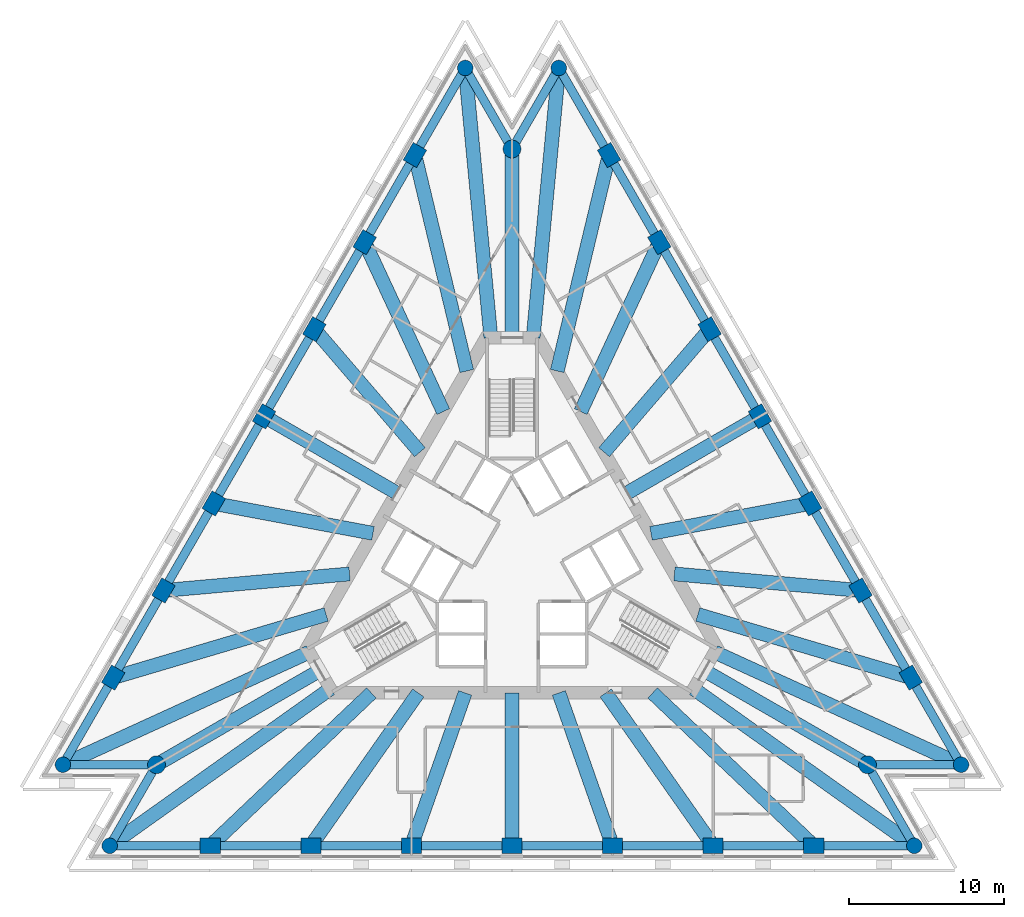
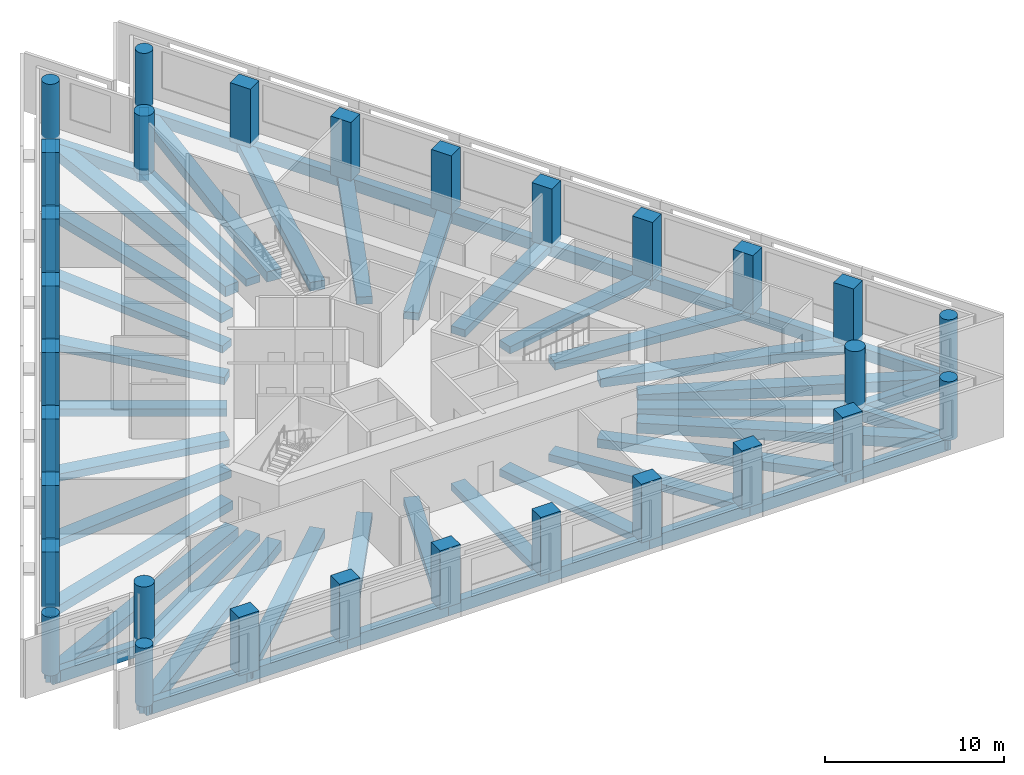
# One storey, part 1 of 9: 60 beams, 30 columns.
"""IFC4 building model written with IfcOpenShell, lengths in metres."""

from ifc_helpers import new_model, si_unit, direction, frame, origin, origin_2d, place, context, subcontext, project, spatial, rectangle, circle, extrude, material, material_profile, profile_set, type_object, element, save


model = new_model("IFC4")

# Units and contexts
model_context = context("Model", 3, precision=1e-05, world=origin(), true_north=direction((0.0, 1.0)))
body_context = subcontext(model_context, "Body", "Model", "MODEL_VIEW")
ifc_project = project(units=[si_unit("LENGTHUNIT", "METRE"), si_unit("AREAUNIT", "SQUARE_METRE"), si_unit("VOLUMEUNIT", "CUBIC_METRE"), si_unit("PLANEANGLEUNIT", "RADIAN"), si_unit("MASSUNIT", "GRAM", prefix="KILO")], contexts=[model_context])

# Site, building, storey
site_placement = place(None, origin())
site = spatial("IfcSite", under=ifc_project, at=site_placement, CompositionType="ELEMENT")
building_placement = place(site_placement, origin())
building = spatial("IfcBuilding", under=site, at=building_placement, Name="Triada Interchange Tower", CompositionType="ELEMENT")
storey_placement = place(building_placement, frame((0.0, 0.0, 164.300048828125)))
storey = spatial("IfcBuildingStorey", under=building, at=storey_placement, Name="L38", CompositionType="ELEMENT", Elevation=164.300048828125)

# Columns
ifc_material_1 = material(Name="Concrete C60/75", Category="concrete")
ifc_material_profile_1 = material_profile(ifc_material_1, rectangle(XDim=1.300048828125, YDim=1.0, at=origin_2d()), Name="RC 1300x1000")
ifc_profile_set_1 = profile_set([ifc_material_profile_1], Name="Concrete C60/75")
column_type_1 = type_object("IfcColumnType", Name="Column B face RC 1300x1000", PredefinedType="COLUMN", material=ifc_profile_set_1)
for number, where, z_axis, x_axis, name in (
    (1, (-6.258056640625, 26.068115234375, -0.300048828125), (0.0, 0.0, 1.0), (0.5, 0.866025403784, 0.0), "Column CB02 L38"),
    (2, (-9.4990234375, 20.4541015625, -0.300048828125), (0.0, 0.0, 1.0), (0.5, 0.866025403784, 0.0), "Column CB03 L38"),
    (3, (-12.739990234375, 14.841064453125, -0.300048828125), (0.0, 0.0, 1.0), (0.5, 0.866025403784, 0.0), "Column CB04 L38"),
    (4, (-15.98193359375, 9.22705078125, -0.300048828125), (0.0, 0.0, 1.0), (0.5, 0.866025403784, 0.0), "Column CB05 L38"),
    (5, (-19.222900390625, 3.613037109375, -0.300048828125), (0.0, 0.0, 1.0), (0.5, 0.866025403784, 0.0), "Column CB06 L38"),
    (6, (-22.464111328125, -2.0, -0.300048828125), (0.0, 0.0, 1.0), (0.5, 0.866025403784, 0.0), "Column CB07 L38"),
    (7, (-25.705078125, -7.614013671875, -0.300048828125), (0.0, 0.0, 1.0), (0.5, 0.866025403784, 0.0), "Column CB08 L38"),
    (8, (-19.447021484375, -18.4541015625, -0.300048828125), (0.0, 0.0, 1.0), (1.0, 0.0, 0.0), "Column CB11 L38"),
    (9, (-12.964111328125, -18.4541015625, -0.300048828125), (0.0, 0.0, 1.0), (1.0, 0.0, 0.0), "Column CB12 L38"),
    (10, (-6.48193359375, -18.4541015625, -0.300048828125), (0.0, 0.0, 1.0), (1.0, 0.0, 0.0), "Column CB13 L38"),
    (11, (0.0, -18.4541015625, -0.300048828125), (0.0, 0.0, 1.0), (1.0, 0.0, 0.0), "Column CB14 L38"),
    (12, (6.48193359375, -18.4541015625, -0.300048828125), (0.0, 0.0, 1.0), (1.0, 0.0, 0.0), "Column CB15 L38"),
    (13, (12.964111328125, -18.4541015625, -0.300048828125), (0.0, 0.0, 1.0), (1.0, 0.0, 0.0), "Column CB16 L38"),
    (14, (19.447021484375, -18.4541015625, -0.300048828125), (0.0, 0.0, 1.0), (1.0, 0.0, 0.0), "Column CB17 L38"),
    (15, (25.705078125, -7.614013671875, -0.300048828125), (0.0, 0.0, 1.0), (-0.5, 0.866025403784, 0.0), "Column CB20 L38"),
    (16, (22.464111328125, -2.0009765625, -0.300048828125), (0.0, 0.0, 1.0), (-0.5, 0.866025403784, 0.0), "Column CB21 L38"),
    (17, (19.222900390625, 3.613037109375, -0.300048828125), (0.0, 0.0, 1.0), (-0.5, 0.866025403784, 0.0), "Column CB22 L38"),
    (18, (15.98193359375, 9.22705078125, -0.300048828125), (0.0, 0.0, 1.0), (-0.5, 0.866025403784, 0.0), "Column CB23 L38"),
    (19, (12.739990234375, 14.841064453125, -0.300048828125), (0.0, 0.0, 1.0), (-0.5, 0.866025403784, 0.0), "Column CB24 L38"),
    (20, (9.4990234375, 20.4541015625, -0.300048828125), (0.0, 0.0, 1.0), (-0.5, 0.866025403784, 0.0), "Column CB25 L38"),
    (21, (6.258056640625, 26.068115234375, -0.300048828125), (0.0, 0.0, 1.0), (-0.5, 0.866025403784, 0.0), "Column CB26 L38"),
):
    element("IfcColumn", number, at=place(storey_placement, frame(where, z_axis=z_axis, x_axis=x_axis)), inside=storey, type_object=column_type_1, Name=name, PredefinedType="COLUMN", context=body_context, shape_type="SweptSolid", body=[
        extrude(rectangle(XDim=1.300048828125, YDim=1.0, at=origin_2d()), origin(), (0.0, 0.0, 1.0), 4.0),
    ])
ifc_material_profile_2 = material_profile(ifc_material_1, circle(Radius=0.5, at=origin_2d()), Name="RC D1000")
ifc_profile_set_2 = profile_set([ifc_material_profile_2], Name="Concrete C60/75")
column_type_2 = type_object("IfcColumnType", Name="End column B RC D1000", PredefinedType="COLUMN", material=ifc_profile_set_2)
for number, where, z_axis, x_axis, name in (
    (22, (-3.01708984375, 31.681884765625, -0.300048828125), (0.0, 0.0, 1.0), (0.5, 0.866025403784, 0.0), "Column CB01 L38"),
    (23, (-28.946044921875, -13.22802734375, -0.300048828125), (0.0, 0.0, 1.0), (0.5, 0.866025403784, 0.0), "Column CB09 L38"),
    (24, (-25.928955078125, -18.4541015625, -0.300048828125), (0.0, 0.0, 1.0), (1.0, 0.0, 0.0), "Column CB10 L38"),
    (25, (25.928955078125, -18.4541015625, -0.300048828125), (0.0, 0.0, 1.0), (1.0, 0.0, 0.0), "Column CB18 L38"),
    (26, (28.946044921875, -13.22802734375, -0.300048828125), (0.0, 0.0, 1.0), (-0.5, 0.866025403784, 0.0), "Column CB19 L38"),
    (27, (3.01708984375, 31.681884765625, -0.300048828125), (0.0, 0.0, 1.0), (-0.5, 0.866025403784, 0.0), "Column CB27 L38"),
):
    element("IfcColumn", number, at=place(storey_placement, frame(where, z_axis=z_axis, x_axis=x_axis)), inside=storey, type_object=column_type_2, Name=name, PredefinedType="COLUMN", context=body_context, shape_type="SweptSolid", body=[
        extrude(circle(Radius=0.5, at=origin_2d()), origin(), (0.0, 0.0, 1.0), 4.0),
    ])
ifc_material_profile_3 = material_profile(ifc_material_1, circle(Radius=0.574951171875, at=origin_2d()), Name="RC D1150")
ifc_profile_set_3 = profile_set([ifc_material_profile_3], Name="Concrete C60/75")
column_type_3 = type_object("IfcColumnType", Name="Mega column B RC D1150", PredefinedType="COLUMN", material=ifc_profile_set_3)
for number, where, z_axis, x_axis, name in (
    (28, (0.0, 26.45703125, -0.300048828125), (0.0, 0.0, 1.0), (1.0, 0.0, 0.0), "Column MB1 L38"),
    (29, (-22.912109375, -13.22802734375, -0.300048828125), (0.0, 0.0, 1.0), (1.0, 0.0, 0.0), "Column MB2 L38"),
    (30, (22.912109375, -13.22802734375, -0.300048828125), (0.0, 0.0, 1.0), (1.0, 0.0, 0.0), "Column MB3 L38"),
):
    element("IfcColumn", number, at=place(storey_placement, frame(where, z_axis=z_axis, x_axis=x_axis)), inside=storey, type_object=column_type_3, Name=name, PredefinedType="COLUMN", context=body_context, shape_type="SweptSolid", body=[
        extrude(circle(Radius=0.574951171875, at=origin_2d()), origin(), (0.0, 0.0, 1.0), 4.0),
    ])

# Beams
ifc_material_2 = material(Name="Concrete C50/60", Category="concrete")
ifc_material_profile_4 = material_profile(ifc_material_2, rectangle(XDim=0.89990234375, YDim=0.5, at=origin_2d()), Name="RC 900x500")
ifc_profile_set_4 = profile_set([ifc_material_profile_4], Name="Concrete C50/60")
beam_type_1 = type_object("IfcBeamType", Name="Radial band beam B RC 900x500", PredefinedType="BEAM", material=ifc_profile_set_4)
beam_1_placement = place(storey_placement, frame((-9.4990234375, 20.4541015625, -0.550048828125), z_axis=(0.421182188, -0.906976055093, 0.0), x_axis=(0.906976055093, 0.421182188, 0.0)))
element("IfcBeam", 31, at=beam_1_placement, inside=storey, type_object=beam_type_1, Name="Radial band beam BB03 L38", PredefinedType="BEAM", context=body_context, shape_type="SweptSolid", body=[
    extrude(rectangle(XDim=0.89990234375, YDim=0.5, at=origin_2d()), origin(), (0.0, 0.0, 1.0), 12.042236328125),
])
beam_2_placement = place(storey_placement, frame((-12.739990234375, 14.841064453125, -0.550048828125), z_axis=(0.651347526446, -0.75877954624, 0.0), x_axis=(0.75877954624, 0.651347526446, 0.0)))
element("IfcBeam", 32, at=beam_2_placement, inside=storey, type_object=beam_type_1, Name="Radial band beam BB04 L38", PredefinedType="BEAM", context=body_context, shape_type="SweptSolid", body=[
    extrude(rectangle(XDim=0.89990234375, YDim=0.5, at=origin_2d()), origin(), (0.0, 0.0, 1.0), 10.444580078125),
])
beam_3_placement = place(storey_placement, frame((-15.98193359375, 9.22705078125, -0.550048828125), z_axis=(0.866028393261, -0.49999482204, 0.0), x_axis=(0.49999482204, 0.866028393261, 0.0)))
element("IfcBeam", 33, at=beam_3_placement, inside=storey, type_object=beam_type_1, Name="Radial band beam BB05 L38", PredefinedType="BEAM", context=body_context, shape_type="SweptSolid", body=[
    extrude(rectangle(XDim=0.89990234375, YDim=0.5, at=origin_2d()), origin(), (0.0, 0.0, 1.0), 9.85400390625),
])
beam_4_placement = place(storey_placement, frame((-19.222900390625, 3.613037109375, -0.550048828125), z_axis=(0.982797748276, -0.184685099516, 0.0), x_axis=(0.184685099516, 0.982797748276, 0.0)))
element("IfcBeam", 34, at=beam_4_placement, inside=storey, type_object=beam_type_1, Name="Radial band beam BB06 L38", PredefinedType="BEAM", context=body_context, shape_type="SweptSolid", body=[
    extrude(rectangle(XDim=0.89990234375, YDim=0.5, at=origin_2d()), origin(), (0.0, 0.0, 1.0), 10.444580078125),
])
beam_5_placement = place(storey_placement, frame((-22.464111328125, -2.0, -0.550048828125), z_axis=(0.996059479564, 0.088687728409, 0.0), x_axis=(-0.088687728409, 0.996059479564, 0.0)))
element("IfcBeam", 35, at=beam_5_placement, inside=storey, type_object=beam_type_1, Name="Radial band beam BB07 L38", PredefinedType="BEAM", context=body_context, shape_type="SweptSolid", body=[
    extrude(rectangle(XDim=0.89990234375, YDim=0.5, at=origin_2d()), origin(), (0.0, 0.0, 1.0), 12.04345703125),
])
beam_6_placement = place(storey_placement, frame((-22.912109375, -13.22802734375, -0.550048828125), z_axis=(0.866034757718, 0.499983798162, 0.0), x_axis=(-0.499983798162, 0.866034757718, 0.0)))
element("IfcBeam", 36, at=beam_6_placement, inside=storey, type_object=beam_type_1, Name="Radial band beam BB10 L38", PredefinedType="BEAM", context=body_context, shape_type="SweptSolid", body=[
    extrude(rectangle(XDim=0.89990234375, YDim=0.5, at=origin_2d()), origin(), (0.0, 0.0, 1.0), 12.15673828125),
])
beam_7_placement = place(storey_placement, frame((-12.964111328125, -18.4541015625, -0.550048828125), z_axis=(0.574816759981, 0.818282159432, 0.0), x_axis=(-0.818282159432, 0.574816759981, 0.0)))
element("IfcBeam", 37, at=beam_7_placement, inside=storey, type_object=beam_type_1, Name="Radial band beam BB13 L38", PredefinedType="BEAM", context=body_context, shape_type="SweptSolid", body=[
    extrude(rectangle(XDim=0.89990234375, YDim=0.5, at=origin_2d()), origin(), (0.0, 0.0, 1.0), 12.042236328125),
])
beam_8_placement = place(storey_placement, frame((-6.48193359375, -18.4541015625, -0.550048828125), z_axis=(0.331376895085, 0.943498464971, 0.0), x_axis=(-0.943498464971, 0.331376895085, 0.0)))
element("IfcBeam", 38, at=beam_8_placement, inside=storey, type_object=beam_type_1, Name="Radial band beam BB14 L38", PredefinedType="BEAM", context=body_context, shape_type="SweptSolid", body=[
    extrude(rectangle(XDim=0.89990234375, YDim=0.5, at=origin_2d()), origin(), (0.0, 0.0, 1.0), 10.444091796875),
])
beam_9_placement = place(storey_placement, frame((0.0, -18.4541015625, -0.550048828125), z_axis=(0.0, 1.0, 0.0), x_axis=(-1.0, 0.0, 0.0)))
element("IfcBeam", 39, at=beam_9_placement, inside=storey, type_object=beam_type_1, Name="Radial band beam BB15 L38", PredefinedType="BEAM", context=body_context, shape_type="SweptSolid", body=[
    extrude(rectangle(XDim=0.89990234375, YDim=0.5, at=origin_2d()), origin(), (0.0, 0.0, 1.0), 9.85400390625),
])
beam_10_placement = place(storey_placement, frame((6.48193359375, -18.4541015625, -0.550048828125), z_axis=(-0.331376895085, 0.943498464971, 0.0), x_axis=(-0.943498464971, -0.331376895085, 0.0)))
element("IfcBeam", 40, at=beam_10_placement, inside=storey, type_object=beam_type_1, Name="Radial band beam BB16 L38", PredefinedType="BEAM", context=body_context, shape_type="SweptSolid", body=[
    extrude(rectangle(XDim=0.89990234375, YDim=0.5, at=origin_2d()), origin(), (0.0, 0.0, 1.0), 10.444091796875),
])
beam_11_placement = place(storey_placement, frame((12.964111328125, -18.4541015625, -0.550048828125), z_axis=(-0.574816759981, 0.818282159432, 0.0), x_axis=(-0.818282159432, -0.574816759981, 0.0)))
element("IfcBeam", 41, at=beam_11_placement, inside=storey, type_object=beam_type_1, Name="Radial band beam BB17 L38", PredefinedType="BEAM", context=body_context, shape_type="SweptSolid", body=[
    extrude(rectangle(XDim=0.89990234375, YDim=0.5, at=origin_2d()), origin(), (0.0, 0.0, 1.0), 12.042236328125),
])
beam_12_placement = place(storey_placement, frame((22.912109375, -13.22802734375, -0.550048828125), z_axis=(-0.866034757718, 0.499983798162, 0.0), x_axis=(-0.499983798162, -0.866034757718, 0.0)))
element("IfcBeam", 42, at=beam_12_placement, inside=storey, type_object=beam_type_1, Name="Radial band beam BB20 L38", PredefinedType="BEAM", context=body_context, shape_type="SweptSolid", body=[
    extrude(rectangle(XDim=0.89990234375, YDim=0.5, at=origin_2d()), origin(), (0.0, 0.0, 1.0), 12.15673828125),
])
beam_13_placement = place(storey_placement, frame((22.464111328125, -2.0009765625, -0.550048828125), z_axis=(-0.996052313378, 0.088768175681, 0.0), x_axis=(-0.088768175681, -0.996052313378, 0.0)))
element("IfcBeam", 43, at=beam_13_placement, inside=storey, type_object=beam_type_1, Name="Radial band beam BB23 L38", PredefinedType="BEAM", context=body_context, shape_type="SweptSolid", body=[
    extrude(rectangle(XDim=0.89990234375, YDim=0.5, at=origin_2d()), origin(), (0.0, 0.0, 1.0), 12.043701171875),
])
beam_14_placement = place(storey_placement, frame((19.222900390625, 3.613037109375, -0.550048828125), z_axis=(-0.982797748276, -0.184685099516, 0.0), x_axis=(0.184685099516, -0.982797748276, 0.0)))
element("IfcBeam", 44, at=beam_14_placement, inside=storey, type_object=beam_type_1, Name="Radial band beam BB24 L38", PredefinedType="BEAM", context=body_context, shape_type="SweptSolid", body=[
    extrude(rectangle(XDim=0.89990234375, YDim=0.5, at=origin_2d()), origin(), (0.0, 0.0, 1.0), 10.444580078125),
])
beam_15_placement = place(storey_placement, frame((15.98193359375, 9.22705078125, -0.550048828125), z_axis=(-0.866028393261, -0.49999482204, 0.0), x_axis=(0.49999482204, -0.866028393261, 0.0)))
element("IfcBeam", 45, at=beam_15_placement, inside=storey, type_object=beam_type_1, Name="Radial band beam BB25 L38", PredefinedType="BEAM", context=body_context, shape_type="SweptSolid", body=[
    extrude(rectangle(XDim=0.89990234375, YDim=0.5, at=origin_2d()), origin(), (0.0, 0.0, 1.0), 9.85400390625),
])
beam_16_placement = place(storey_placement, frame((12.739990234375, 14.841064453125, -0.550048828125), z_axis=(-0.651347526446, -0.75877954624, 0.0), x_axis=(0.75877954624, -0.651347526446, 0.0)))
element("IfcBeam", 46, at=beam_16_placement, inside=storey, type_object=beam_type_1, Name="Radial band beam BB26 L38", PredefinedType="BEAM", context=body_context, shape_type="SweptSolid", body=[
    extrude(rectangle(XDim=0.89990234375, YDim=0.5, at=origin_2d()), origin(), (0.0, 0.0, 1.0), 10.444580078125),
])
beam_17_placement = place(storey_placement, frame((9.4990234375, 20.4541015625, -0.550048828125), z_axis=(-0.421182188, -0.906976055093, 0.0), x_axis=(0.906976055093, -0.421182188, 0.0)))
element("IfcBeam", 47, at=beam_17_placement, inside=storey, type_object=beam_type_1, Name="Radial band beam BB27 L38", PredefinedType="BEAM", context=body_context, shape_type="SweptSolid", body=[
    extrude(rectangle(XDim=0.89990234375, YDim=0.5, at=origin_2d()), origin(), (0.0, 0.0, 1.0), 12.042236328125),
])
beam_18_placement = place(storey_placement, frame((0.0, 26.45703125, -0.550048828125), z_axis=(0.0, -1.0, 0.0), x_axis=(1.0, 0.0, 0.0)))
element("IfcBeam", 48, at=beam_18_placement, inside=storey, type_object=beam_type_1, Name="Radial band beam BB30 L38", PredefinedType="BEAM", context=body_context, shape_type="SweptSolid", body=[
    extrude(rectangle(XDim=0.89990234375, YDim=0.5, at=origin_2d()), origin(), (0.0, 0.0, 1.0), 12.156982421875),
])
ifc_material_profile_5 = material_profile(ifc_material_2, rectangle(XDim=0.89990234375, YDim=0.60009765625, at=origin_2d()), Name="RC 900x600")
ifc_profile_set_5 = profile_set([ifc_material_profile_5], Name="Concrete C50/60")
beam_type_2 = type_object("IfcBeamType", Name="Radial band beam B RC 900x600", PredefinedType="BEAM", material=ifc_profile_set_5)
for number, where, z_axis, x_axis, name in (
    (49, (-6.258056640625, 26.068115234375, -0.60009765625), (0.233452287657, -0.972368258114, 0.0), (0.972368258114, 0.233452287657, 0.0), "Radial band beam BB02 L38"),
    (50, (-25.705078125, -7.614013671875, -0.60009765625), (0.958818411795, 0.284019811285, 0.0), (-0.284019811285, 0.958818411795, 0.0), "Radial band beam BB08 L38"),
):
    element("IfcBeam", number, at=place(storey_placement, frame(where, z_axis=z_axis, x_axis=x_axis)), inside=storey, type_object=beam_type_2, Name=name, PredefinedType="BEAM", context=body_context, shape_type="SweptSolid", body=[
        extrude(rectangle(XDim=0.89990234375, YDim=0.60009765625, at=origin_2d()), origin(), (0.0, 0.0, 1.0), 14.315673828125),
    ])
for number, where, z_axis, x_axis, name in (
    (51, (-19.447021484375, -18.4541015625, -0.60009765625), (0.72537701011, 0.688351794655, 0.0), (-0.688351794655, 0.72537701011, 0.0), "Radial band beam BB12 L38"),
    (52, (19.447021484375, -18.4541015625, -0.60009765625), (-0.72537701011, 0.688351794655, 0.0), (-0.688351794655, -0.72537701011, 0.0), "Radial band beam BB18 L38"),
):
    element("IfcBeam", number, at=place(storey_placement, frame(where, z_axis=z_axis, x_axis=x_axis)), inside=storey, type_object=beam_type_2, Name=name, PredefinedType="BEAM", context=body_context, shape_type="SweptSolid", body=[
        extrude(rectangle(XDim=0.89990234375, YDim=0.60009765625, at=origin_2d()), origin(), (0.0, 0.0, 1.0), 14.3154296875),
    ])
for number, where, z_axis, x_axis, name in (
    (53, (25.705078125, -7.614013671875, -0.60009765625), (-0.958818411795, 0.284019811285, 0.0), (-0.284019811285, -0.958818411795, 0.0), "Radial band beam BB22 L38"),
    (54, (6.258056640625, 26.068115234375, -0.60009765625), (-0.233452287657, -0.972368258114, 0.0), (0.972368258114, -0.233452287657, 0.0), "Radial band beam BB28 L38"),
):
    element("IfcBeam", number, at=place(storey_placement, frame(where, z_axis=z_axis, x_axis=x_axis)), inside=storey, type_object=beam_type_2, Name=name, PredefinedType="BEAM", context=body_context, shape_type="SweptSolid", body=[
        extrude(rectangle(XDim=0.89990234375, YDim=0.60009765625, at=origin_2d()), origin(), (0.0, 0.0, 1.0), 14.315673828125),
    ])
ifc_material_profile_6 = material_profile(ifc_material_2, rectangle(XDim=0.89990234375, YDim=0.699951171875, at=origin_2d()), Name="RC 900x700")
ifc_profile_set_6 = profile_set([ifc_material_profile_6], Name="Concrete C50/60")
beam_type_3 = type_object("IfcBeamType", Name="Radial band beam B RC 900x700", PredefinedType="BEAM", material=ifc_profile_set_6)
beam_19_placement = place(storey_placement, frame((-3.01708984375, 31.681884765625, -0.650146484375), z_axis=(0.094787317622, -0.995497546164, 0.0), x_axis=(0.995497546164, 0.094787317622, 0.0)))
element("IfcBeam", 55, at=beam_19_placement, inside=storey, type_object=beam_type_3, Name="Radial band beam BB01 L38", PredefinedType="BEAM", context=body_context, shape_type="SweptSolid", body=[
    extrude(rectangle(XDim=0.89990234375, YDim=0.699951171875, at=origin_2d()), origin(), (0.0, 0.0, 1.0), 17.46044921875),
])
for number, where, z_axis, x_axis, name in (
    (56, (-28.946044921875, -13.22802734375, -0.650146484375), (0.909515104954, 0.415670872038, 0.0), (-0.415670872038, 0.909515104954, 0.0), "Radial band beam BB09 L38"),
    (57, (-25.928955078125, -18.4541015625, -0.650146484375), (0.814720469551, 0.579853909614, 0.0), (-0.579853909614, 0.814720469551, 0.0), "Radial band beam BB11 L38"),
    (58, (25.928955078125, -18.4541015625, -0.650146484375), (-0.814720469551, 0.579853909614, 0.0), (-0.579853909614, -0.814720469551, 0.0), "Radial band beam BB19 L38"),
    (59, (28.946044921875, -13.22802734375, -0.650146484375), (-0.909515104954, 0.415670872038, 0.0), (-0.415670872038, -0.909515104954, 0.0), "Radial band beam BB21 L38"),
):
    element("IfcBeam", number, at=place(storey_placement, frame(where, z_axis=z_axis, x_axis=x_axis)), inside=storey, type_object=beam_type_3, Name=name, PredefinedType="BEAM", context=body_context, shape_type="SweptSolid", body=[
        extrude(rectangle(XDim=0.89990234375, YDim=0.699951171875, at=origin_2d()), origin(), (0.0, 0.0, 1.0), 17.461181640625),
    ])
beam_20_placement = place(storey_placement, frame((3.01708984375, 31.681884765625, -0.650146484375), z_axis=(-0.094787317622, -0.995497546164, 0.0), x_axis=(0.995497546164, -0.094787317622, 0.0)))
element("IfcBeam", 60, at=beam_20_placement, inside=storey, type_object=beam_type_3, Name="Radial band beam BB29 L38", PredefinedType="BEAM", context=body_context, shape_type="SweptSolid", body=[
    extrude(rectangle(XDim=0.89990234375, YDim=0.699951171875, at=origin_2d()), origin(), (0.0, 0.0, 1.0), 17.46044921875),
])
ifc_material_profile_7 = material_profile(ifc_material_2, rectangle(XDim=0.550048828125, YDim=0.800048828125, at=origin_2d()), Name="RC 550x800")
ifc_profile_set_7 = profile_set([ifc_material_profile_7], Name="Concrete C50/60")
beam_type_4 = type_object("IfcBeamType", Name="Spandrel beam B RC 550x800", PredefinedType="BEAM", material=ifc_profile_set_7)
beam_21_placement = place(storey_placement, frame((-3.01708984375, 31.681884765625, -0.699951171875), z_axis=(-0.499983274767, -0.866035059887, 0.0), x_axis=(0.866035059887, -0.499983274767, 0.0)))
element("IfcBeam", 61, at=beam_21_placement, inside=storey, type_object=beam_type_4, Name="Spandrel beam EB01 L38", PredefinedType="BEAM", context=body_context, shape_type="SweptSolid", body=[
    extrude(rectangle(XDim=0.550048828125, YDim=0.800048828125, at=origin_2d()), origin(), (0.0, 0.0, 1.0), 6.482177734375),
])
beam_22_placement = place(storey_placement, frame((-6.258056640625, 26.068115234375, -0.699951171875), z_axis=(-0.49996696679, -0.866044474677, 0.0), x_axis=(0.866044474677, -0.49996696679, 0.0)))
element("IfcBeam", 62, at=beam_22_placement, inside=storey, type_object=beam_type_4, Name="Spandrel beam EB02 L38", PredefinedType="BEAM", context=body_context, shape_type="SweptSolid", body=[
    extrude(rectangle(XDim=0.550048828125, YDim=0.800048828125, at=origin_2d()), origin(), (0.0, 0.0, 1.0), 6.482421875),
])
beam_23_placement = place(storey_placement, frame((-9.4990234375, 20.4541015625, -0.699951171875), z_axis=(-0.500032204018, -0.866006809987, 0.0), x_axis=(0.866006809987, -0.500032204018, 0.0)))
element("IfcBeam", 63, at=beam_23_placement, inside=storey, type_object=beam_type_4, Name="Spandrel beam EB03 L38", PredefinedType="BEAM", context=body_context, shape_type="SweptSolid", body=[
    extrude(rectangle(XDim=0.550048828125, YDim=0.800048828125, at=origin_2d()), origin(), (0.0, 0.0, 1.0), 6.4814453125),
])
beam_24_placement = place(storey_placement, frame((-12.739990234375, 14.841064453125, -0.699951171875), z_axis=(-0.500079945886, -0.865979242085, 0.0), x_axis=(0.865979242085, -0.500079945886, 0.0)))
element("IfcBeam", 64, at=beam_24_placement, inside=storey, type_object=beam_type_4, Name="Spandrel beam EB04 L38", PredefinedType="BEAM", context=body_context, shape_type="SweptSolid", body=[
    extrude(rectangle(XDim=0.550048828125, YDim=0.800048828125, at=origin_2d()), origin(), (0.0, 0.0, 1.0), 6.48291015625),
])
beam_25_placement = place(storey_placement, frame((-15.98193359375, 9.22705078125, -0.699951171875), z_axis=(-0.49996696679, -0.866044474677, 0.0), x_axis=(0.866044474677, -0.49996696679, 0.0)))
element("IfcBeam", 65, at=beam_25_placement, inside=storey, type_object=beam_type_4, Name="Spandrel beam EB05 L38", PredefinedType="BEAM", context=body_context, shape_type="SweptSolid", body=[
    extrude(rectangle(XDim=0.550048828125, YDim=0.800048828125, at=origin_2d()), origin(), (0.0, 0.0, 1.0), 6.482421875),
])
beam_26_placement = place(storey_placement, frame((-19.222900390625, 3.613037109375, -0.699951171875), z_axis=(-0.500060452414, -0.865990498754, 0.0), x_axis=(0.865990498754, -0.500060452414, 0.0)))
element("IfcBeam", 66, at=beam_26_placement, inside=storey, type_object=beam_type_4, Name="Spandrel beam EB06 L38", PredefinedType="BEAM", context=body_context, shape_type="SweptSolid", body=[
    extrude(rectangle(XDim=0.550048828125, YDim=0.800048828125, at=origin_2d()), origin(), (0.0, 0.0, 1.0), 6.481689453125),
])
for number, where, z_axis, x_axis, name in (
    (67, (-22.464111328125, -2.0, -0.699951171875), (-0.49996696679, -0.866044474677, 0.0), (0.866044474677, -0.49996696679, 0.0), "Spandrel beam EB07 L38"),
    (68, (-25.705078125, -7.614013671875, -0.699951171875), (-0.49996696679, -0.866044474677, 0.0), (0.866044474677, -0.49996696679, 0.0), "Spandrel beam EB08 L38"),
):
    element("IfcBeam", number, at=place(storey_placement, frame(where, z_axis=z_axis, x_axis=x_axis)), inside=storey, type_object=beam_type_4, Name=name, PredefinedType="BEAM", context=body_context, shape_type="SweptSolid", body=[
        extrude(rectangle(XDim=0.550048828125, YDim=0.800048828125, at=origin_2d()), origin(), (0.0, 0.0, 1.0), 6.482421875),
    ])
beam_27_placement = place(storey_placement, frame((-28.946044921875, -13.22802734375, -0.699951171875), z_axis=(1.0, 0.0, 0.0), x_axis=(0.0, 1.0, 0.0)))
element("IfcBeam", 69, at=beam_27_placement, inside=storey, type_object=beam_type_4, Name="Spandrel beam EB09 L38", PredefinedType="BEAM", context=body_context, shape_type="SweptSolid", body=[
    extrude(rectangle(XDim=0.550048828125, YDim=0.800048828125, at=origin_2d()), origin(), (0.0, 0.0, 1.0), 6.033935546875),
])
beam_28_placement = place(storey_placement, frame((-22.912109375, -13.22802734375, -0.699951171875), z_axis=(-0.499946597911, -0.8660562333, 0.0), x_axis=(0.8660562333, -0.499946597911, 0.0)))
element("IfcBeam", 70, at=beam_28_placement, inside=storey, type_object=beam_type_4, Name="Spandrel beam EB10 L38", PredefinedType="BEAM", context=body_context, shape_type="SweptSolid", body=[
    extrude(rectangle(XDim=0.550048828125, YDim=0.800048828125, at=origin_2d()), origin(), (0.0, 0.0, 1.0), 6.034423828125),
])
beam_29_placement = place(storey_placement, frame((-25.928955078125, -18.4541015625, -0.699951171875), z_axis=(1.0, 0.0, 0.0), x_axis=(0.0, 1.0, 0.0)))
element("IfcBeam", 71, at=beam_29_placement, inside=storey, type_object=beam_type_4, Name="Spandrel beam EB11 L38", PredefinedType="BEAM", context=body_context, shape_type="SweptSolid", body=[
    extrude(rectangle(XDim=0.550048828125, YDim=0.800048828125, at=origin_2d()), origin(), (0.0, 0.0, 1.0), 6.48193359375),
])
beam_30_placement = place(storey_placement, frame((-19.447021484375, -18.4541015625, -0.699951171875), z_axis=(1.0, 0.0, 0.0), x_axis=(0.0, 1.0, 0.0)))
element("IfcBeam", 72, at=beam_30_placement, inside=storey, type_object=beam_type_4, Name="Spandrel beam EB12 L38", PredefinedType="BEAM", context=body_context, shape_type="SweptSolid", body=[
    extrude(rectangle(XDim=0.550048828125, YDim=0.800048828125, at=origin_2d()), origin(), (0.0, 0.0, 1.0), 6.48291015625),
])
beam_31_placement = place(storey_placement, frame((-12.964111328125, -18.4541015625, -0.699951171875), z_axis=(1.0, 0.0, 0.0), x_axis=(0.0, 1.0, 0.0)))
element("IfcBeam", 73, at=beam_31_placement, inside=storey, type_object=beam_type_4, Name="Spandrel beam EB13 L38", PredefinedType="BEAM", context=body_context, shape_type="SweptSolid", body=[
    extrude(rectangle(XDim=0.550048828125, YDim=0.800048828125, at=origin_2d()), origin(), (0.0, 0.0, 1.0), 6.482177734375),
])
for number, where, z_axis, x_axis, name in (
    (74, (-6.48193359375, -18.4541015625, -0.699951171875), (1.0, 0.0, 0.0), (0.0, 1.0, 0.0), "Spandrel beam EB14 L38"),
    (75, (0.0, -18.4541015625, -0.699951171875), (1.0, 0.0, 0.0), (0.0, 1.0, 0.0), "Spandrel beam EB15 L38"),
):
    element("IfcBeam", number, at=place(storey_placement, frame(where, z_axis=z_axis, x_axis=x_axis)), inside=storey, type_object=beam_type_4, Name=name, PredefinedType="BEAM", context=body_context, shape_type="SweptSolid", body=[
        extrude(rectangle(XDim=0.550048828125, YDim=0.800048828125, at=origin_2d()), origin(), (0.0, 0.0, 1.0), 6.48193359375),
    ])
beam_32_placement = place(storey_placement, frame((6.48193359375, -18.4541015625, -0.699951171875), z_axis=(1.0, 0.0, 0.0), x_axis=(0.0, 1.0, 0.0)))
element("IfcBeam", 76, at=beam_32_placement, inside=storey, type_object=beam_type_4, Name="Spandrel beam EB16 L38", PredefinedType="BEAM", context=body_context, shape_type="SweptSolid", body=[
    extrude(rectangle(XDim=0.550048828125, YDim=0.800048828125, at=origin_2d()), origin(), (0.0, 0.0, 1.0), 6.482177734375),
])
beam_33_placement = place(storey_placement, frame((12.964111328125, -18.4541015625, -0.699951171875), z_axis=(1.0, 0.0, 0.0), x_axis=(0.0, 1.0, 0.0)))
element("IfcBeam", 77, at=beam_33_placement, inside=storey, type_object=beam_type_4, Name="Spandrel beam EB17 L38", PredefinedType="BEAM", context=body_context, shape_type="SweptSolid", body=[
    extrude(rectangle(XDim=0.550048828125, YDim=0.800048828125, at=origin_2d()), origin(), (0.0, 0.0, 1.0), 6.48291015625),
])
beam_34_placement = place(storey_placement, frame((19.447021484375, -18.4541015625, -0.699951171875), z_axis=(1.0, 0.0, 0.0), x_axis=(0.0, 1.0, 0.0)))
element("IfcBeam", 78, at=beam_34_placement, inside=storey, type_object=beam_type_4, Name="Spandrel beam EB18 L38", PredefinedType="BEAM", context=body_context, shape_type="SweptSolid", body=[
    extrude(rectangle(XDim=0.550048828125, YDim=0.800048828125, at=origin_2d()), origin(), (0.0, 0.0, 1.0), 6.48193359375),
])
beam_35_placement = place(storey_placement, frame((25.928955078125, -18.4541015625, -0.699951171875), z_axis=(-0.499946597911, 0.8660562333, 0.0), x_axis=(-0.8660562333, -0.499946597911, 0.0)))
element("IfcBeam", 79, at=beam_35_placement, inside=storey, type_object=beam_type_4, Name="Spandrel beam EB19 L38", PredefinedType="BEAM", context=body_context, shape_type="SweptSolid", body=[
    extrude(rectangle(XDim=0.550048828125, YDim=0.800048828125, at=origin_2d()), origin(), (0.0, 0.0, 1.0), 6.034423828125),
])
beam_36_placement = place(storey_placement, frame((22.912109375, -13.22802734375, -0.699951171875), z_axis=(1.0, 0.0, 0.0), x_axis=(0.0, 1.0, 0.0)))
element("IfcBeam", 80, at=beam_36_placement, inside=storey, type_object=beam_type_4, Name="Spandrel beam EB20 L38", PredefinedType="BEAM", context=body_context, shape_type="SweptSolid", body=[
    extrude(rectangle(XDim=0.550048828125, YDim=0.800048828125, at=origin_2d()), origin(), (0.0, 0.0, 1.0), 6.033935546875),
])
beam_37_placement = place(storey_placement, frame((28.946044921875, -13.22802734375, -0.699951171875), z_axis=(-0.49996696679, 0.866044474677, 0.0), x_axis=(-0.866044474677, -0.49996696679, 0.0)))
element("IfcBeam", 81, at=beam_37_placement, inside=storey, type_object=beam_type_4, Name="Spandrel beam EB21 L38", PredefinedType="BEAM", context=body_context, shape_type="SweptSolid", body=[
    extrude(rectangle(XDim=0.550048828125, YDim=0.800048828125, at=origin_2d()), origin(), (0.0, 0.0, 1.0), 6.482421875),
])
beam_38_placement = place(storey_placement, frame((25.705078125, -7.614013671875, -0.699951171875), z_axis=(-0.500032204018, 0.866006809987, 0.0), x_axis=(-0.866006809987, -0.500032204018, 0.0)))
element("IfcBeam", 82, at=beam_38_placement, inside=storey, type_object=beam_type_4, Name="Spandrel beam EB22 L38", PredefinedType="BEAM", context=body_context, shape_type="SweptSolid", body=[
    extrude(rectangle(XDim=0.550048828125, YDim=0.800048828125, at=origin_2d()), origin(), (0.0, 0.0, 1.0), 6.4814453125),
])
for number, where, z_axis, x_axis, name in (
    (83, (22.464111328125, -2.0009765625, -0.699951171875), (-0.499995213958, 0.86602816699, 0.0), (-0.86602816699, -0.499995213958, 0.0), "Spandrel beam EB23 L38"),
    (84, (19.222900390625, 3.613037109375, -0.699951171875), (-0.49996696679, 0.866044474677, 0.0), (-0.866044474677, -0.49996696679, 0.0), "Spandrel beam EB24 L38"),
):
    element("IfcBeam", number, at=place(storey_placement, frame(where, z_axis=z_axis, x_axis=x_axis)), inside=storey, type_object=beam_type_4, Name=name, PredefinedType="BEAM", context=body_context, shape_type="SweptSolid", body=[
        extrude(rectangle(XDim=0.550048828125, YDim=0.800048828125, at=origin_2d()), origin(), (0.0, 0.0, 1.0), 6.482421875),
    ])
beam_39_placement = place(storey_placement, frame((15.98193359375, 9.22705078125, -0.699951171875), z_axis=(-0.500079945886, 0.865979242085, 0.0), x_axis=(-0.865979242085, -0.500079945886, 0.0)))
element("IfcBeam", 85, at=beam_39_placement, inside=storey, type_object=beam_type_4, Name="Spandrel beam EB25 L38", PredefinedType="BEAM", context=body_context, shape_type="SweptSolid", body=[
    extrude(rectangle(XDim=0.550048828125, YDim=0.800048828125, at=origin_2d()), origin(), (0.0, 0.0, 1.0), 6.48291015625),
])
beam_40_placement = place(storey_placement, frame((12.739990234375, 14.841064453125, -0.699951171875), z_axis=(-0.500032204018, 0.866006809987, 0.0), x_axis=(-0.866006809987, -0.500032204018, 0.0)))
element("IfcBeam", 86, at=beam_40_placement, inside=storey, type_object=beam_type_4, Name="Spandrel beam EB26 L38", PredefinedType="BEAM", context=body_context, shape_type="SweptSolid", body=[
    extrude(rectangle(XDim=0.550048828125, YDim=0.800048828125, at=origin_2d()), origin(), (0.0, 0.0, 1.0), 6.4814453125),
])
beam_41_placement = place(storey_placement, frame((9.4990234375, 20.4541015625, -0.699951171875), z_axis=(-0.49996696679, 0.866044474677, 0.0), x_axis=(-0.866044474677, -0.49996696679, 0.0)))
element("IfcBeam", 87, at=beam_41_placement, inside=storey, type_object=beam_type_4, Name="Spandrel beam EB27 L38", PredefinedType="BEAM", context=body_context, shape_type="SweptSolid", body=[
    extrude(rectangle(XDim=0.550048828125, YDim=0.800048828125, at=origin_2d()), origin(), (0.0, 0.0, 1.0), 6.482421875),
])
beam_42_placement = place(storey_placement, frame((6.258056640625, 26.068115234375, -0.699951171875), z_axis=(-0.499983274767, 0.866035059887, 0.0), x_axis=(-0.866035059887, -0.499983274767, 0.0)))
element("IfcBeam", 88, at=beam_42_placement, inside=storey, type_object=beam_type_4, Name="Spandrel beam EB28 L38", PredefinedType="BEAM", context=body_context, shape_type="SweptSolid", body=[
    extrude(rectangle(XDim=0.550048828125, YDim=0.800048828125, at=origin_2d()), origin(), (0.0, 0.0, 1.0), 6.482177734375),
])
for number, where, z_axis, x_axis, name in (
    (89, (3.01708984375, 31.681884765625, -0.699951171875), (-0.500064546788, -0.865988134472, 0.0), (0.865988134472, -0.500064546788, 0.0), "Spandrel beam EB29 L38"),
    (90, (0.0, 26.45703125, -0.699951171875), (-0.500064546788, 0.865988134472, 0.0), (-0.865988134472, -0.500064546788, 0.0), "Spandrel beam EB30 L38"),
):
    element("IfcBeam", number, at=place(storey_placement, frame(where, z_axis=z_axis, x_axis=x_axis)), inside=storey, type_object=beam_type_4, Name=name, PredefinedType="BEAM", context=body_context, shape_type="SweptSolid", body=[
        extrude(rectangle(XDim=0.550048828125, YDim=0.800048828125, at=origin_2d()), origin(), (0.0, 0.0, 1.0), 6.033447265625),
    ])

save(model, "model.ifc")
